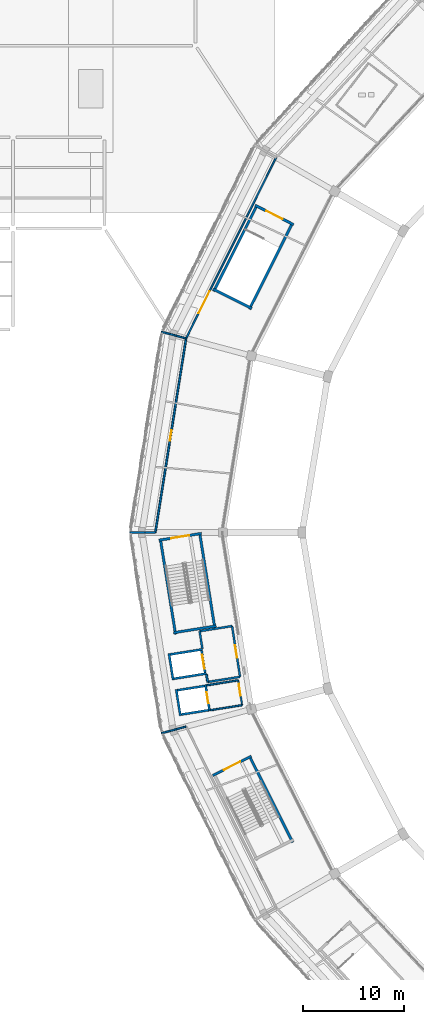
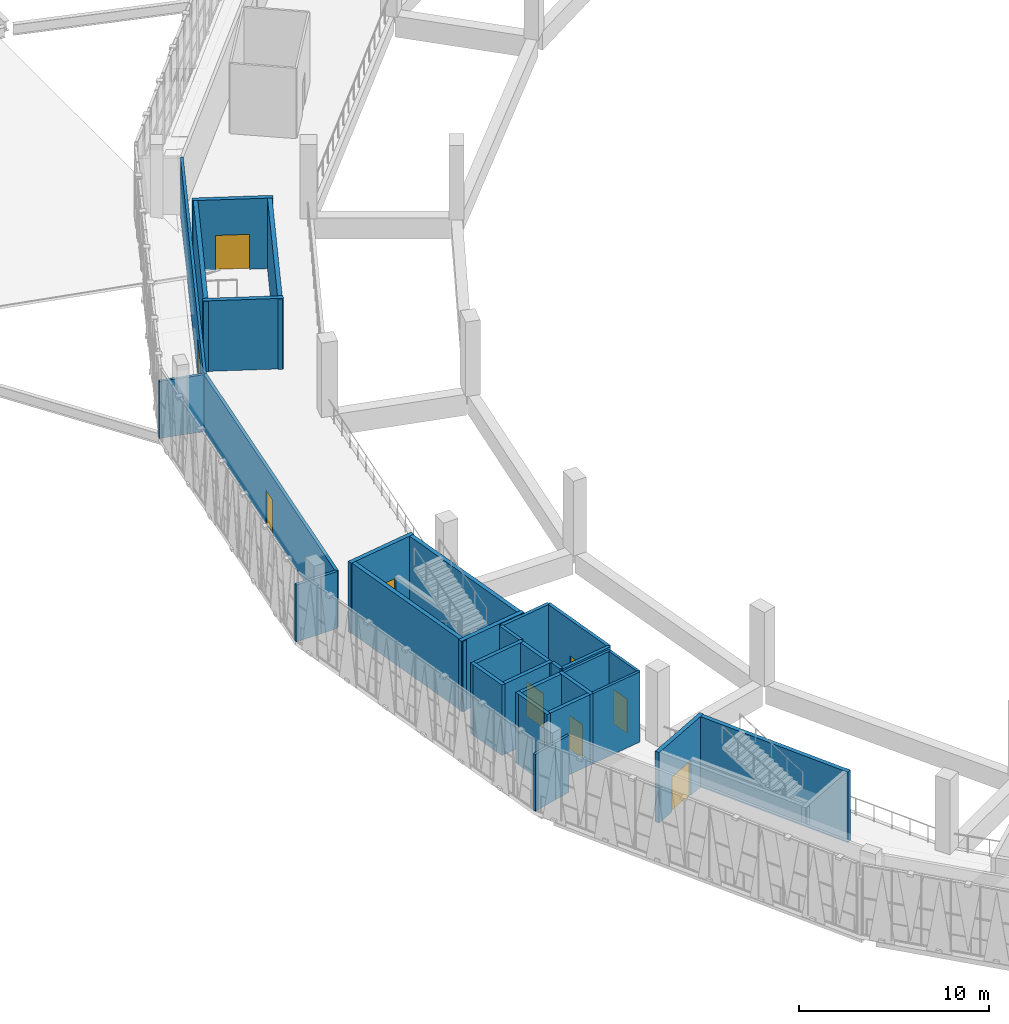
# One storey, part 68 of 108: 34 walls, 9 doors, 9 openings.
"""IFC4 building model written with IfcOpenShell, lengths in metres."""

from ifc_helpers import new_model, si_unit, direction, frame, frame_2d, origin, place, context, subcontext, project, spatial, rectangle, extrude, material, layer, layer_set, type_object, element, fill, save


model = new_model("IFC4")

# Units and contexts
model_context = context("Model", 3, precision=1e-05, world=origin(), true_north=direction((0.0, 1.0)))
body_context = subcontext(model_context, "Body", "Model", "MODEL_VIEW")
ifc_project = project(units=[si_unit("LENGTHUNIT", "METRE"), si_unit("AREAUNIT", "SQUARE_METRE"), si_unit("VOLUMEUNIT", "CUBIC_METRE"), si_unit("PLANEANGLEUNIT", "RADIAN"), si_unit("MASSUNIT", "GRAM", prefix="KILO")], contexts=[model_context])

# Site, building, storey
site_placement = place(None, origin())
site = spatial("IfcSite", under=ifc_project, at=site_placement, CompositionType="ELEMENT")
building_placement = place(site_placement, origin())
building = spatial("IfcBuilding", under=site, at=building_placement, Name="Zevraka Park Crest Stadium", CompositionType="ELEMENT")
storey_placement = place(building_placement, frame((0.0, 0.0, 19.800048828125)))
storey = spatial("IfcBuildingStorey", under=building, at=storey_placement, Name="L04", CompositionType="ELEMENT", Elevation=19.800048828125)

# Walls
ifc_material_1 = material(Name="Autoclaved aerated masonry blockwork", Category="masonry")
ifc_layer_1 = layer(ifc_material_1, 0.199951171875)
ifc_layer_set_1 = layer_set([ifc_layer_1], Name="Autoclaved aerated masonry blockwork")
wall_type_1 = type_object("IfcWallType", Name="IW01", PredefinedType="PARTITIONING", material=ifc_layer_set_1)
wall_1_placement = place(storey_placement, frame((28.18310546875, 77.256103515625, 0.0), z_axis=(0.0, 0.0, 1.0), x_axis=(-0.157482870509, 0.987521719, 0.0)))
element("IfcWall", 1, at=wall_1_placement, inside=storey, type_object=wall_type_1, Name="Firefighting Lift Lobby Wall IW01 FL03 L04 BACKL", PredefinedType="PARTITIONING", context=body_context, shape_type="SweptSolid", body=[
    extrude(rectangle(XDim=0.750244140625, YDim=0.199951171875, at=frame_2d((0.375, 0.0))), origin(), (0.0, 0.0, 1.0), 4.52001953125),
])
wall_2_placement = place(storey_placement, frame((27.656982421875, 80.56396484375, 0.0), z_axis=(0.0, 0.0, 1.0), x_axis=(-0.156960903537, 0.987604817101, 0.0)))
element("IfcWall", 2, at=wall_2_placement, inside=storey, type_object=wall_type_1, Name="Firefighting Lift Lobby Wall IW01 FL03 L04 BACKR", PredefinedType="PARTITIONING", context=body_context, shape_type="SweptSolid", body=[
    extrude(rectangle(XDim=1.72021484375, YDim=0.199951171875, at=frame_2d((0.860107421875, 0.0))), origin(), (0.0, 0.0, 1.0), 4.52001953125),
])
wall_3_placement = place(storey_placement, frame((28.18310546875, 77.256103515625, 0.0), z_axis=(0.0, 0.0, 1.0), x_axis=(0.987633675984, 0.156779214382, 0.0)))
element("IfcWall", 3, at=wall_3_placement, inside=storey, type_object=wall_type_1, Name="Firefighting Lift Lobby Wall IW01 FL03 L04 LEFT", PredefinedType="PARTITIONING", context=body_context, shape_type="SweptSolid", body=[
    extrude(rectangle(XDim=3.239013671875, YDim=0.199951171875, at=frame_2d((1.61962890625, 0.0))), origin(), (0.0, 0.0, 1.0), 4.52001953125),
])
wall_4_placement = place(storey_placement, frame((27.386962890625, 82.262939453125, 0.0), z_axis=(0.0, 0.0, 1.0), x_axis=(0.987629416648, 0.156806043797, 0.0)))
element("IfcWall", 4, at=wall_4_placement, inside=storey, type_object=wall_type_1, Name="Firefighting Lift Lobby Wall IW01 FL03 L04 RIGHT", PredefinedType="PARTITIONING", context=body_context, shape_type="SweptSolid", body=[
    extrude(rectangle(XDim=3.239990234375, YDim=0.199951171875, at=frame_2d((1.6201171875, 0.0))), origin(), (0.0, 0.0, 1.0), 4.52001953125),
])

# Wall, opening, door
wall_5_placement = place(storey_placement, frame((31.382080078125, 77.763916015625, 0.0), z_axis=(0.0, 0.0, 1.0), x_axis=(-0.156842848291, 0.987623572491, 0.0)))
wall_5 = element("IfcWall", 5, at=wall_5_placement, inside=storey, type_object=wall_type_1, Name="Firefighting Lift Lobby Wall IW01 FL03 L04 FRONT", PredefinedType="PARTITIONING", context=body_context, shape_type="SweptSolid", body=[
    extrude(rectangle(XDim=5.06982421875, YDim=0.199951171875, at=frame_2d((2.534912109375, 0.0))), origin(), (0.0, 0.0, 1.0), 4.52001953125),
])
opening_1_placement = place(wall_5_placement, frame((1.909912109375, 0.0, 0.0)))
opening_1 = element("IfcOpeningElement", 6, at=opening_1_placement, cuts=wall_5, Name="Opening D-L04-311", PredefinedType="OPENING", context=body_context, shape_type="SweptSolid", body=[
    extrude(rectangle(XDim=1.25, YDim=2.199951171875, at=frame_2d((0.625, 1.10009765625))), frame((0.0, 0.10986328125, 0.0), z_axis=(0.0, -1.0, 0.0), x_axis=(1.0, 0.0, 0.0)), (0.0, 0.0, 1.0), 0.219970703125),
])
ifc_material_2 = material(Name="Solid-core hardwood timber leaf in steel frame", Category="steel")
door_type_1 = type_object("IfcDoorType", Name="DR07", OperationType="NOTDEFINED", PredefinedType="DOOR", material=ifc_material_2)
door_1_placement = place(opening_1_placement, origin())
door_1 = element("IfcDoor", 7, at=door_1_placement, inside=storey, type_object=door_type_1, Name="Firefighting Lift Lobby FL03 Door D-L04-311", OperationType="SINGLE_SWING_LEFT", OverallHeight=2.199951171875, OverallWidth=1.25, PredefinedType="DOOR", context=body_context, shape_type="SweptSolid", body=[
    extrude(rectangle(XDim=1.25, YDim=2.199951171875, at=frame_2d((0.625, 1.10009765625))), frame((0.0, 0.02490234375, 0.0), z_axis=(0.0, -1.0, 0.0), x_axis=(1.0, 0.0, 0.0)), (0.0, 0.0, 1.0), 0.050048828125),
])
fill(opening_1, door_1)

# Walls
ifc_material_3 = material(Name="Fire-rated twin-stud acoustic drywall", Category="other")
ifc_layer_2 = layer(ifc_material_3, 0.159912109375)
ifc_layer_set_2 = layer_set([ifc_layer_2], Name="Fire-rated twin-stud acoustic drywall")
wall_type_2 = type_object("IfcWallType", Name="IW02", PredefinedType="PARTITIONING", material=ifc_layer_set_2)
wall_6_placement = place(storey_placement, frame((28.452880859375, 74.472900390625, 0.0), z_axis=(0.0, 0.0, 1.0), x_axis=(0.987632121619, 0.156789005818, 0.0)))
element("IfcWall", 8, at=wall_6_placement, inside=storey, type_object=wall_type_2, Name="Passenger Lift Lobby Wall IW02 PL03 L04 LEFT", PredefinedType="PARTITIONING", context=body_context, shape_type="SweptSolid", body=[
    extrude(rectangle(XDim=3.17041015625, YDim=0.159912109375, at=frame_2d((1.585205078125, 0.0))), origin(), (0.0, 0.0, 1.0), 4.52001953125),
])
wall_7_placement = place(storey_placement, frame((28.06396484375, 76.923095703125, 0.0), z_axis=(0.0, 0.0, 1.0), x_axis=(0.987644043639, 0.156713889186, 0.0)))
element("IfcWall", 9, at=wall_7_placement, inside=storey, type_object=wall_type_2, Name="Passenger Lift Lobby Wall IW02 PL03 L04 RIGHT", PredefinedType="PARTITIONING", context=body_context, shape_type="SweptSolid", body=[
    extrude(rectangle(XDim=3.170166015625, YDim=0.159912109375, at=frame_2d((1.5849609375, 0.0))), origin(), (0.0, 0.0, 1.0), 4.52001953125),
])

# Wall, opening, door
wall_8_placement = place(storey_placement, frame((31.583984375, 74.969970703125, 0.0), z_axis=(0.0, 0.0, 1.0), x_axis=(-0.156781258489, 0.987633351496, 0.0)))
wall_8 = element("IfcWall", 10, at=wall_8_placement, inside=storey, type_object=wall_type_2, Name="Passenger Lift Lobby Wall IW02 PL03 L04 FRONT", PredefinedType="PARTITIONING", context=body_context, shape_type="SweptSolid", body=[
    extrude(rectangle(XDim=2.480712890625, YDim=0.159912109375, at=frame_2d((1.240234375, 0.0))), origin(), (0.0, 0.0, 1.0), 4.52001953125),
])
opening_2_placement = place(wall_8_placement, frame((0.962890625, 0.0, 0.0)))
opening_2 = element("IfcOpeningElement", 11, at=opening_2_placement, cuts=wall_8, Name="Opening D-L04-317", PredefinedType="OPENING", context=body_context, shape_type="SweptSolid", body=[
    extrude(rectangle(XDim=1.14990234375, YDim=2.199951171875, at=frame_2d((0.574951171875, 1.10009765625))), frame((0.0, 0.08984375, 0.0), z_axis=(0.0, -1.0, 0.0), x_axis=(1.0, 0.0, 0.0)), (0.0, 0.0, 1.0), 0.179931640625),
])
ifc_material_4 = material(Name="Solid-core hardwood timber leaf in steel frame", Category="steel")
door_type_2 = type_object("IfcDoorType", Name="DR03", OperationType="NOTDEFINED", PredefinedType="DOOR", material=ifc_material_4)
door_2_placement = place(opening_2_placement, origin())
door_2 = element("IfcDoor", 12, at=door_2_placement, inside=storey, type_object=door_type_2, Name="Passenger Lift Lobby PL03 Door D-L04-317", OperationType="SINGLE_SWING_LEFT", OverallHeight=2.199951171875, OverallWidth=1.14990234375, PredefinedType="DOOR", context=body_context, shape_type="SweptSolid", body=[
    extrude(rectangle(XDim=1.14990234375, YDim=2.199951171875, at=frame_2d((0.574951171875, 1.10009765625))), frame((0.0, 0.02490234375, 0.0), z_axis=(0.0, -1.0, 0.0), x_axis=(1.0, 0.0, 0.0)), (0.0, 0.0, 1.0), 0.050048828125),
])
fill(opening_2, door_2)

wall_9_placement = place(storey_placement, frame((34.94091796875, 128.989990234375, 0.0), z_axis=(0.0, 0.0, 1.0), x_axis=(-0.44590512567, -0.895080230427, 0.0)))
wall_9 = element("IfcWall", 13, at=wall_9_placement, inside=storey, type_object=wall_type_2, Name="Interior Partition IW02 Hospitality Suite L04", PredefinedType="PARTITIONING", context=body_context, shape_type="SweptSolid", body=[
    extrude(rectangle(XDim=19.9345703125, YDim=0.159912109375, at=frame_2d((9.96728515625, 0.0))), origin(), (0.0, 0.0, 1.0), 3.6650390625),
])
opening_3_placement = place(wall_9_placement, frame((14.75, 0.0, 0.0)))
opening_3 = element("IfcOpeningElement", 14, at=opening_3_placement, cuts=wall_9, Name="Opening D-L04-480", PredefinedType="OPENING", context=body_context, shape_type="SweptSolid", body=[
    extrude(rectangle(XDim=2.39990234375, YDim=2.39990234375, at=frame_2d((1.199951171875, 1.199951171875))), frame((0.0, 0.08984375, 0.0), z_axis=(0.0, -1.0, 0.0), x_axis=(1.0, 0.0, 0.0)), (0.0, 0.0, 1.0), 0.179931640625),
])
ifc_material_5 = material(Name="Solid-core hardwood timber leaf in steel frame", Category="steel")
door_type_3 = type_object("IfcDoorType", Name="DR18", OperationType="NOTDEFINED", PredefinedType="DOOR", material=ifc_material_5)
door_3_placement = place(opening_3_placement, origin())
door_3 = element("IfcDoor", 15, at=door_3_placement, inside=storey, type_object=door_type_3, Name="Hospitality Suite Door D-L04-480", OperationType="DOUBLE_DOOR_SINGLE_SWING", OverallHeight=2.39990234375, OverallWidth=2.39990234375, PredefinedType="DOOR", context=body_context, shape_type="SweptSolid", body=[
    extrude(rectangle(XDim=2.39990234375, YDim=2.39990234375, at=frame_2d((1.199951171875, 1.199951171875))), frame((0.0, 0.02490234375, 0.0), z_axis=(0.0, -1.0, 0.0), x_axis=(1.0, 0.0, 0.0)), (0.0, 0.0, 1.0), 0.050048828125),
])
fill(opening_3, door_3)

# Walls
wall_10_placement = place(storey_placement, frame((26.052001953125, 111.14697265625, 0.0), z_axis=(0.0, 0.0, 1.0), x_axis=(-0.96582071383, 0.259211011991, 0.0)))
element("IfcWall", 16, at=wall_10_placement, inside=storey, type_object=wall_type_2, Name="Interior Partition IW02 Hospitality Suite L04", PredefinedType="PARTITIONING", context=body_context, shape_type="SweptSolid", body=[
    extrude(rectangle(XDim=1.010498046875, YDim=0.159912109375, at=frame_2d((0.50537109375, 0.0))), origin(), (0.0, 0.0, 1.0), 3.6650390625),
])
wall_11_placement = place(storey_placement, frame((25.090087890625, 111.405029296875, 0.0), z_axis=(0.0, 0.0, 1.0), x_axis=(-0.965835014872, 0.259157720408, 0.0)))
element("IfcWall", 17, at=wall_11_placement, inside=storey, type_object=wall_type_2, Name="Interior Partition IW02 Hospitality Suite L04", PredefinedType="PARTITIONING", context=body_context, shape_type="SweptSolid", body=[
    extrude(rectangle(XDim=1.524169921875, YDim=0.159912109375, at=frame_2d((0.76220703125, 0.0))), origin(), (0.0, 0.0, 1.0), 3.6650390625),
])
wall_12_placement = place(storey_placement, frame((26.052001953125, 72.85302734375, 0.0), z_axis=(0.0, 0.0, 1.0), x_axis=(-0.96582071383, -0.259211011991, 0.0)))
element("IfcWall", 18, at=wall_12_placement, inside=storey, type_object=wall_type_2, Name="Interior Partition IW02 Hospitality Suite L04", PredefinedType="PARTITIONING", context=body_context, shape_type="SweptSolid", body=[
    extrude(rectangle(XDim=1.010498046875, YDim=0.159912109375, at=frame_2d((0.50537109375, 0.0))), origin(), (0.0, 0.0, 1.0), 3.6650390625),
])
wall_13_placement = place(storey_placement, frame((25.090087890625, 72.594970703125, 0.0), z_axis=(0.0, 0.0, 1.0), x_axis=(-0.965835014872, -0.259157720408, 0.0)))
element("IfcWall", 19, at=wall_13_placement, inside=storey, type_object=wall_type_2, Name="Interior Partition IW02 Hospitality Suite L04", PredefinedType="PARTITIONING", context=body_context, shape_type="SweptSolid", body=[
    extrude(rectangle(XDim=1.524169921875, YDim=0.159912109375, at=frame_2d((0.76220703125, 0.0))), origin(), (0.0, 0.0, 1.0), 3.6650390625),
])

# Wall, opening, door
ifc_material_6 = material(Name="Fire-rated twin-stud acoustic drywall", Category="other")
ifc_layer_3 = layer(ifc_material_6, 0.179931640625)
ifc_layer_set_3 = layer_set([ifc_layer_3], Name="Fire-rated twin-stud acoustic drywall")
wall_type_3 = type_object("IfcWallType", Name="IW06", PredefinedType="PARTITIONING", material=ifc_layer_set_3)
wall_14_placement = place(storey_placement, frame((26.052001953125, 111.14697265625, 0.0), z_axis=(0.0, 0.0, 1.0), x_axis=(-0.156404265147, -0.987693123315, 0.0)))
wall_14 = element("IfcWall", 20, at=wall_14_placement, inside=storey, type_object=wall_type_3, Name="Interior Partition IW06 Hospitality Suite L04", PredefinedType="PARTITIONING", context=body_context, shape_type="SweptSolid", body=[
    extrude(rectangle(XDim=19.385498046875, YDim=0.179931640625, at=frame_2d((9.69287109375, 0.0))), origin(), (0.0, 0.0, 1.0), 3.6650390625),
])
opening_4_placement = place(wall_14_placement, frame((9.18310546875, 0.0, 0.0)))
opening_4 = element("IfcOpeningElement", 21, at=opening_4_placement, cuts=wall_14, Name="Opening D-L04-481", PredefinedType="OPENING", context=body_context, shape_type="SweptSolid", body=[
    extrude(rectangle(XDim=1.02001953125, YDim=2.199951171875, at=frame_2d((0.510009765625, 1.10009765625))), frame((0.0, 0.099853515625, 0.0), z_axis=(0.0, -1.0, 0.0), x_axis=(1.0, 0.0, 0.0)), (0.0, 0.0, 1.0), 0.199951171875),
])
ifc_material_7 = material(Name="Solid-core hardwood timber leaf in steel frame", Category="steel")
door_type_4 = type_object("IfcDoorType", Name="DR21", OperationType="NOTDEFINED", PredefinedType="DOOR", material=ifc_material_7)
door_4_placement = place(opening_4_placement, origin())
door_4 = element("IfcDoor", 22, at=door_4_placement, inside=storey, type_object=door_type_4, Name="Hospitality Suite Door D-L04-481", OperationType="SINGLE_SWING_RIGHT", OverallHeight=2.199951171875, OverallWidth=1.02001953125, PredefinedType="DOOR", context=body_context, shape_type="SweptSolid", body=[
    extrude(rectangle(XDim=1.02001953125, YDim=2.199951171875, at=frame_2d((0.510009765625, 1.10009765625))), frame((0.0, 0.02490234375, 0.0), z_axis=(0.0, -1.0, 0.0), x_axis=(1.0, 0.0, 0.0)), (0.0, 0.0, 1.0), 0.050048828125),
])
fill(opening_4, door_4)

# Walls
wall_15_placement = place(storey_placement, frame((23.02001953125, 92.0, 0.0), z_axis=(0.0, 0.0, 1.0), x_axis=(-1.0, 0.0, 0.0)))
element("IfcWall", 23, at=wall_15_placement, inside=storey, type_object=wall_type_3, Name="Interior Partition IW06 Hospitality Suite L04", PredefinedType="PARTITIONING", context=body_context, shape_type="SweptSolid", body=[
    extrude(rectangle(XDim=1.010009765625, YDim=0.179931640625, at=frame_2d((0.5048828125, 0.0))), origin(), (0.0, 0.0, 1.0), 3.6650390625),
])
wall_16_placement = place(storey_placement, frame((22.02490234375, 92.0, 0.0), z_axis=(0.0, 0.0, 1.0), x_axis=(-1.0, 0.0, 0.0)))
element("IfcWall", 24, at=wall_16_placement, inside=storey, type_object=wall_type_3, Name="Interior Partition IW06 Hospitality Suite L04", PredefinedType="PARTITIONING", context=body_context, shape_type="SweptSolid", body=[
    extrude(rectangle(XDim=1.52490234375, YDim=0.179931640625, at=frame_2d((0.762451171875, 0.0))), origin(), (0.0, 0.0, 1.0), 3.6650390625),
])
ifc_material_8 = material(Name="Concrete C40/50", Category="concrete")
ifc_layer_4 = layer(ifc_material_8, 0.25)
ifc_layer_set_4 = layer_set([ifc_layer_4], Name="Concrete C40/50")
wall_type_4 = type_object("IfcWallType", Name="SW01", PredefinedType="SHEAR", material=ifc_layer_set_4)
wall_17_placement = place(storey_placement, frame((33.0634765625, 124.313232421875, 0.0), z_axis=(0.0, 0.0, 1.0), x_axis=(-0.447919041961, -0.894074119885, 0.0)))
element("IfcWall", 25, at=wall_17_placement, inside=storey, type_object=wall_type_4, Name="Stair Core Shear Wall SW01 ST11 L04 left", PredefinedType="SHEAR", context=body_context, shape_type="SweptSolid", body=[
    extrude(rectangle(XDim=9.5498046875, YDim=0.25, at=frame_2d((4.77490234375, 0.0))), origin(), (0.0, 0.0, 1.0), 4.5400390625),
])
wall_18_placement = place(storey_placement, frame((32.29052734375, 114.01904296875, 0.0), z_axis=(0.0, 0.0, 1.0), x_axis=(0.4479088042, 0.894079248792, 0.0)))
element("IfcWall", 26, at=wall_18_placement, inside=storey, type_object=wall_type_4, Name="Stair Core Shear Wall SW01 ST11 L04 right", PredefinedType="SHEAR", context=body_context, shape_type="SweptSolid", body=[
    extrude(rectangle(XDim=9.550048828125, YDim=0.25, at=frame_2d((4.77490234375, 0.0))), origin(), (0.0, 0.0, 1.0), 4.5400390625),
])

# Wall, opening, door
wall_19_placement = place(storey_placement, frame((36.664306640625, 122.36962890625, 0.0), z_axis=(0.0, 0.0, 1.0), x_axis=(-0.894071595331, 0.447924081092, 0.0)))
wall_19 = element("IfcWall", 27, at=wall_19_placement, inside=storey, type_object=wall_type_4, Name="Stair Core Shear Wall SW01 ST11 L04 near", PredefinedType="SHEAR", context=body_context, shape_type="SweptSolid", body=[
    extrude(rectangle(XDim=4.260009765625, YDim=0.25, at=frame_2d((2.1298828125, 0.0))), origin(), (0.0, 0.0, 1.0), 4.5400390625),
])
opening_5_placement = place(wall_19_placement, frame((1.22998046875, 0.0, 0.0)))
opening_5 = element("IfcOpeningElement", 28, at=opening_5_placement, cuts=wall_19, Name="Opening D-L04-067", PredefinedType="OPENING", context=body_context, shape_type="SweptSolid", body=[
    extrude(rectangle(XDim=1.800048828125, YDim=2.25, at=frame_2d((0.89990234375, 1.125))), frame((0.0, 0.135009765625, 0.0), z_axis=(0.0, -1.0, 0.0), x_axis=(1.0, 0.0, 0.0)), (0.0, 0.0, 1.0), 0.27001953125),
])
ifc_material_9 = material(Name="Solid-core hardwood timber leaf in steel frame", Category="steel")
door_type_5 = type_object("IfcDoorType", Name="DR04", OperationType="NOTDEFINED", PredefinedType="DOOR", material=ifc_material_9)
door_5_placement = place(opening_5_placement, origin())
door_5 = element("IfcDoor", 29, at=door_5_placement, inside=storey, type_object=door_type_5, Name="Protected Stair Entry Door ST11 L04", OperationType="DOUBLE_DOOR_SINGLE_SWING", OverallHeight=2.25, OverallWidth=1.800048828125, PredefinedType="DOOR", context=body_context, shape_type="SweptSolid", body=[
    extrude(rectangle(XDim=1.800048828125, YDim=2.25, at=frame_2d((0.89990234375, 1.125))), frame((0.0, 0.02490234375, 0.0), z_axis=(0.0, -1.0, 0.0), x_axis=(1.0, 0.0, 0.0)), (0.0, 0.0, 1.0), 0.050048828125),
])
fill(opening_5, door_5)

# Walls
wall_20_placement = place(storey_placement, frame((28.716796875, 116.016357421875, 0.0), z_axis=(0.0, 0.0, 1.0), x_axis=(0.894083048484, -0.447901219481, 0.0)))
element("IfcWall", 30, at=wall_20_placement, inside=storey, type_object=wall_type_4, Name="Stair Core Shear Wall SW01 ST11 L04 far", PredefinedType="SHEAR", context=body_context, shape_type="SweptSolid", body=[
    extrude(rectangle(XDim=4.259765625, YDim=0.25, at=frame_2d((2.1298828125, 0.0))), origin(), (0.0, 0.0, 1.0), 4.5400390625),
])
for number, where, z_axis, x_axis, name in (
    (31, (23.513671875, 91.388427734375, 0.0), (0.0, 0.0, 1.0), (0.157268610044, -0.987555863886, 0.0), "Stair Core Shear Wall SW01 ST13 L04 left"),
    (32, (28.88671875, 82.573486328125, 0.0), (0.0, 0.0, 1.0), (-0.157243678356, 0.987559833943, 0.0), "Stair Core Shear Wall SW01 ST13 L04 right"),
):
    element("IfcWall", number, at=place(storey_placement, frame(where, z_axis=z_axis, x_axis=x_axis)), inside=storey, type_object=wall_type_4, Name=name, PredefinedType="SHEAR", context=body_context, shape_type="SweptSolid", body=[
        extrude(rectangle(XDim=9.55029296875, YDim=0.25, at=frame_2d((4.775146484375, 0.0))), origin(), (0.0, 0.0, 1.0), 4.5400390625),
    ])

# Wall, opening, door
wall_21_placement = place(storey_placement, frame((27.572509765625, 91.907958984375, 0.0), z_axis=(0.0, 0.0, 1.0), x_axis=(-0.987557660991, -0.157257324847, 0.0)))
wall_21 = element("IfcWall", 33, at=wall_21_placement, inside=storey, type_object=wall_type_4, Name="Stair Core Shear Wall SW01 ST13 L04 near", PredefinedType="SHEAR", context=body_context, shape_type="SweptSolid", body=[
    extrude(rectangle(XDim=4.260009765625, YDim=0.25, at=frame_2d((2.1298828125, 0.0))), origin(), (0.0, 0.0, 1.0), 4.5400390625),
])
opening_6_placement = place(wall_21_placement, frame((1.22998046875, 0.0, 0.0)))
opening_6 = element("IfcOpeningElement", 34, at=opening_6_placement, cuts=wall_21, Name="Opening D-L04-078", PredefinedType="OPENING", context=body_context, shape_type="SweptSolid", body=[
    extrude(rectangle(XDim=1.800048828125, YDim=2.25, at=frame_2d((0.89990234375, 1.125))), frame((0.0, 0.135009765625, 0.0), z_axis=(0.0, -1.0, 0.0), x_axis=(1.0, 0.0, 0.0)), (0.0, 0.0, 1.0), 0.27001953125),
])
door_6_placement = place(opening_6_placement, origin())
door_6 = element("IfcDoor", 35, at=door_6_placement, inside=storey, type_object=door_type_5, Name="Protected Stair Entry Door ST13 L04", OperationType="DOUBLE_DOOR_SINGLE_SWING", OverallHeight=2.25, OverallWidth=1.800048828125, PredefinedType="DOOR", context=body_context, shape_type="SweptSolid", body=[
    extrude(rectangle(XDim=1.800048828125, YDim=2.25, at=frame_2d((0.89990234375, 1.125))), frame((0.0, 0.02490234375, 0.0), z_axis=(0.0, -1.0, 0.0), x_axis=(1.0, 0.0, 0.0)), (0.0, 0.0, 1.0), 0.050048828125),
])
fill(opening_6, door_6)

# Walls
wall_22_placement = place(storey_placement, frame((24.818603515625, 82.113037109375, 0.0), z_axis=(0.0, 0.0, 1.0), x_axis=(0.987557660991, 0.157257324847, 0.0)))
element("IfcWall", 36, at=wall_22_placement, inside=storey, type_object=wall_type_4, Name="Stair Core Shear Wall SW01 ST13 L04 far", PredefinedType="SHEAR", context=body_context, shape_type="SweptSolid", body=[
    extrude(rectangle(XDim=4.260009765625, YDim=0.25, at=frame_2d((2.1298828125, 0.0))), origin(), (0.0, 0.0, 1.0), 4.5400390625),
])
wall_23_placement = place(storey_placement, frame((36.56787109375, 61.443115234375, 0.0), z_axis=(0.0, 0.0, 1.0), x_axis=(-0.447919041961, 0.894074119885, 0.0)))
element("IfcWall", 37, at=wall_23_placement, inside=storey, type_object=wall_type_4, Name="Stair Core Shear Wall SW01 ST14 L04 right", PredefinedType="SHEAR", context=body_context, shape_type="SweptSolid", body=[
    extrude(rectangle(XDim=9.5498046875, YDim=0.25, at=frame_2d((4.77490234375, 0.0))), origin(), (0.0, 0.0, 1.0), 4.5400390625),
])

# Wall, opening, door
wall_24_placement = place(storey_placement, frame((32.498291015625, 69.94580078125, 0.0), z_axis=(0.0, 0.0, 1.0), x_axis=(-0.89409454548, -0.447878268888, 0.0)))
wall_24 = element("IfcWall", 38, at=wall_24_placement, inside=storey, type_object=wall_type_4, Name="Stair Core Shear Wall SW01 ST14 L04 near", PredefinedType="SHEAR", context=body_context, shape_type="SweptSolid", body=[
    extrude(rectangle(XDim=4.260009765625, YDim=0.25, at=frame_2d((2.1298828125, 0.0))), origin(), (0.0, 0.0, 1.0), 4.5400390625),
])
opening_7_placement = place(wall_24_placement, frame((1.22998046875, 0.0, 0.0)))
opening_7 = element("IfcOpeningElement", 39, at=opening_7_placement, cuts=wall_24, Name="Opening D-L04-085", PredefinedType="OPENING", context=body_context, shape_type="SweptSolid", body=[
    extrude(rectangle(XDim=1.800048828125, YDim=2.25, at=frame_2d((0.89990234375, 1.125))), frame((0.0, 0.135009765625, 0.0), z_axis=(0.0, -1.0, 0.0), x_axis=(1.0, 0.0, 0.0)), (0.0, 0.0, 1.0), 0.27001953125),
])
door_7_placement = place(opening_7_placement, origin())
door_7 = element("IfcDoor", 40, at=door_7_placement, inside=storey, type_object=door_type_5, Name="Protected Stair Entry Door ST14 L04", OperationType="DOUBLE_DOOR_SINGLE_SWING", OverallHeight=2.25, OverallWidth=1.800048828125, PredefinedType="DOOR", context=body_context, shape_type="SweptSolid", body=[
    extrude(rectangle(XDim=1.800048828125, YDim=2.25, at=frame_2d((0.89990234375, 1.125))), frame((0.0, 0.02490234375, 0.0), z_axis=(0.0, -1.0, 0.0), x_axis=(1.0, 0.0, 0.0)), (0.0, 0.0, 1.0), 0.050048828125),
])
fill(opening_7, door_7)

# Walls
ifc_material_10 = material(Name="Concrete C40/50", Category="concrete")
ifc_layer_5 = layer(ifc_material_10, 0.219970703125)
ifc_layer_set_5 = layer_set([ifc_layer_5], Name="Concrete C40/50")
wall_type_5 = type_object("IfcWallType", Name="SW02", PredefinedType="SHEAR", material=ifc_layer_set_5)
wall_25_placement = place(storey_placement, frame((24.364990234375, 80.06298828125, 0.0), z_axis=(0.0, 0.0, 1.0), x_axis=(0.156807626334, -0.987629165387, 0.0)))
element("IfcWall", 41, at=wall_25_placement, inside=storey, type_object=wall_type_5, Name="Lift Shaft Shear Wall SW02 FL03 L04-1", PredefinedType="SHEAR", context=body_context, shape_type="SweptSolid", body=[
    extrude(rectangle(XDim=2.640625, YDim=0.219970703125, at=frame_2d((1.3203125, 0.0))), origin(), (0.0, 0.0, 1.0), 4.5400390625),
])
wall_26_placement = place(storey_placement, frame((24.653076171875, 77.547119140625, 0.0), z_axis=(0.0, 0.0, 1.0), x_axis=(0.987703627881, 0.156337914372, 0.0)))
element("IfcWall", 42, at=wall_26_placement, inside=storey, type_object=wall_type_5, Name="Lift Shaft Shear Wall SW02 FL03 L04-2", PredefinedType="SHEAR", context=body_context, shape_type="SweptSolid", body=[
    extrude(rectangle(XDim=3.440185546875, YDim=0.219970703125, at=frame_2d((1.72021484375, 0.0))), origin(), (0.0, 0.0, 1.0), 4.5400390625),
])

# Wall, opening, door
wall_27_placement = place(storey_placement, frame((27.958984375, 77.958984375, 0.0), z_axis=(0.0, 0.0, 1.0), x_axis=(-0.156807626334, 0.987629165387, 0.0)))
wall_27 = element("IfcWall", 43, at=wall_27_placement, inside=storey, type_object=wall_type_5, Name="Lift Shaft Shear Wall SW02 FL03 L04-3", PredefinedType="SHEAR", context=body_context, shape_type="SweptSolid", body=[
    extrude(rectangle(XDim=2.640625, YDim=0.219970703125, at=frame_2d((1.3203125, 0.0))), origin(), (0.0, 0.0, 1.0), 4.5400390625),
])
opening_8_placement = place(wall_27_placement, frame((0.6201171875, 0.0, 0.0)))
opening_8 = element("IfcOpeningElement", 44, at=opening_8_placement, cuts=wall_27, Name="Opening LD-FL03-L04", PredefinedType="OPENING", context=body_context, shape_type="SweptSolid", body=[
    extrude(rectangle(XDim=1.39990234375, YDim=2.199951171875, at=frame_2d((0.699951171875, 1.10009765625))), frame((0.0, 0.119873046875, 0.0), z_axis=(0.0, -1.0, 0.0), x_axis=(1.0, 0.0, 0.0)), (0.0, 0.0, 1.0), 0.239990234375),
])
ifc_material_11 = material(Name="Brushed stainless steel lift landing doors", Category="steel")
door_type_6 = type_object("IfcDoorType", Name="LD01", OperationType="NOTDEFINED", PredefinedType="DOOR", material=ifc_material_11)
door_8_placement = place(opening_8_placement, origin())
door_8 = element("IfcDoor", 45, at=door_8_placement, inside=storey, type_object=door_type_6, Name="Lift Sliding Landing Door LD-FL03-L04", OperationType="SLIDING_TO_LEFT", OverallHeight=2.199951171875, OverallWidth=1.39990234375, PredefinedType="DOOR", context=body_context, shape_type="SweptSolid", body=[
    extrude(rectangle(XDim=1.39990234375, YDim=2.199951171875, at=frame_2d((0.699951171875, 1.10009765625))), frame((0.0, 0.02490234375, 0.0), z_axis=(0.0, -1.0, 0.0), x_axis=(1.0, 0.0, 0.0)), (0.0, 0.0, 1.0), 0.050048828125),
])
fill(opening_8, door_8)

# Walls
wall_28_placement = place(storey_placement, frame((27.6708984375, 80.47509765625, 0.0), z_axis=(0.0, 0.0, 1.0), x_axis=(-0.987692667337, -0.156407144619, 0.0)))
element("IfcWall", 46, at=wall_28_placement, inside=storey, type_object=wall_type_5, Name="Lift Shaft Shear Wall SW02 FL03 L04-4", PredefinedType="SHEAR", context=body_context, shape_type="SweptSolid", body=[
    extrude(rectangle(XDim=3.440185546875, YDim=0.219970703125, at=frame_2d((1.72021484375, 0.0))), origin(), (0.0, 0.0, 1.0), 4.5400390625),
])
wall_29_placement = place(storey_placement, frame((25.077880859375, 76.530029296875, 0.0), z_axis=(0.0, 0.0, 1.0), x_axis=(0.156807626334, -0.987629165387, 0.0)))
element("IfcWall", 47, at=wall_29_placement, inside=storey, type_object=wall_type_5, Name="Lift Shaft Shear Wall SW02 PL03 L04-1", PredefinedType="SHEAR", context=body_context, shape_type="SweptSolid", body=[
    extrude(rectangle(XDim=2.640625, YDim=0.219970703125, at=frame_2d((1.3203125, 0.0))), origin(), (0.0, 0.0, 1.0), 4.5400390625),
])
wall_30_placement = place(storey_placement, frame((25.365966796875, 74.013916015625, 0.0), z_axis=(0.0, 0.0, 1.0), x_axis=(0.987645460109, 0.156704962032, 0.0)))
element("IfcWall", 48, at=wall_30_placement, inside=storey, type_object=wall_type_5, Name="Lift Shaft Shear Wall SW02 PL03 L04-2", PredefinedType="SHEAR", context=body_context, shape_type="SweptSolid", body=[
    extrude(rectangle(XDim=3.140869140625, YDim=0.219970703125, at=frame_2d((1.5703125, 0.0))), origin(), (0.0, 0.0, 1.0), 4.5400390625),
])

# Wall, opening, door
wall_31_placement = place(storey_placement, frame((28.3759765625, 74.3798828125, 0.0), z_axis=(0.0, 0.0, 1.0), x_axis=(-0.156793308963, 0.987631438475, 0.0)))
wall_31 = element("IfcWall", 49, at=wall_31_placement, inside=storey, type_object=wall_type_5, Name="Lift Shaft Shear Wall SW02 PL03 L04-3", PredefinedType="SHEAR", context=body_context, shape_type="SweptSolid", body=[
    extrude(rectangle(XDim=2.640869140625, YDim=0.219970703125, at=frame_2d((1.3203125, 0.0))), origin(), (0.0, 0.0, 1.0), 4.5400390625),
])
opening_9_placement = place(wall_31_placement, frame((0.77001953125, 0.0, 0.0)))
opening_9 = element("IfcOpeningElement", 50, at=opening_9_placement, cuts=wall_31, Name="Opening LD-PL03-L04", PredefinedType="OPENING", context=body_context, shape_type="SweptSolid", body=[
    extrude(rectangle(XDim=1.10009765625, YDim=2.14990234375, at=frame_2d((0.550048828125, 1.074951171875))), frame((0.0, 0.119873046875, 0.0), z_axis=(0.0, -1.0, 0.0), x_axis=(1.0, 0.0, 0.0)), (0.0, 0.0, 1.0), 0.239990234375),
])
ifc_material_12 = material(Name="Brushed stainless steel lift landing doors", Category="steel")
door_type_7 = type_object("IfcDoorType", Name="LD02", OperationType="NOTDEFINED", PredefinedType="DOOR", material=ifc_material_12)
door_9_placement = place(opening_9_placement, origin())
door_9 = element("IfcDoor", 51, at=door_9_placement, inside=storey, type_object=door_type_7, Name="Lift Sliding Landing Door LD-PL03-L04", OperationType="SLIDING_TO_LEFT", OverallHeight=2.14990234375, OverallWidth=1.10009765625, PredefinedType="DOOR", context=body_context, shape_type="SweptSolid", body=[
    extrude(rectangle(XDim=1.10009765625, YDim=2.14990234375, at=frame_2d((0.550048828125, 1.074951171875))), frame((0.0, 0.02490234375, 0.0), z_axis=(0.0, -1.0, 0.0), x_axis=(1.0, 0.0, 0.0)), (0.0, 0.0, 1.0), 0.050048828125),
])
fill(opening_9, door_9)

# Wall
wall_32_placement = place(storey_placement, frame((28.087890625, 76.89599609375, 0.0), z_axis=(0.0, 0.0, 1.0), x_axis=(-0.98765558045, -0.156641164471, 0.0)))
element("IfcWall", 52, at=wall_32_placement, inside=storey, type_object=wall_type_5, Name="Lift Shaft Shear Wall SW02 PL03 L04-4", PredefinedType="SHEAR", context=body_context, shape_type="SweptSolid", body=[
    extrude(rectangle(XDim=3.140625, YDim=0.219970703125, at=frame_2d((1.5703125, 0.0))), origin(), (0.0, 0.0, 1.0), 4.5400390625),
])

save(model, "model.ifc")
